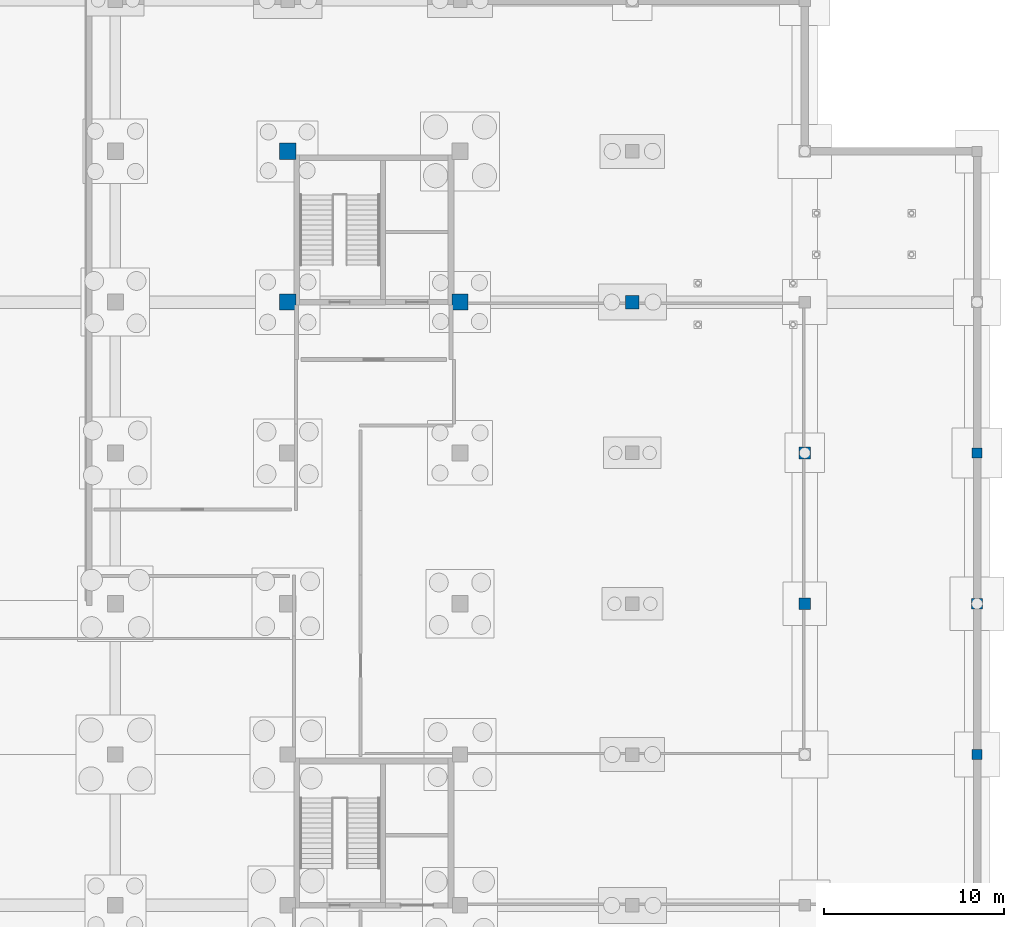
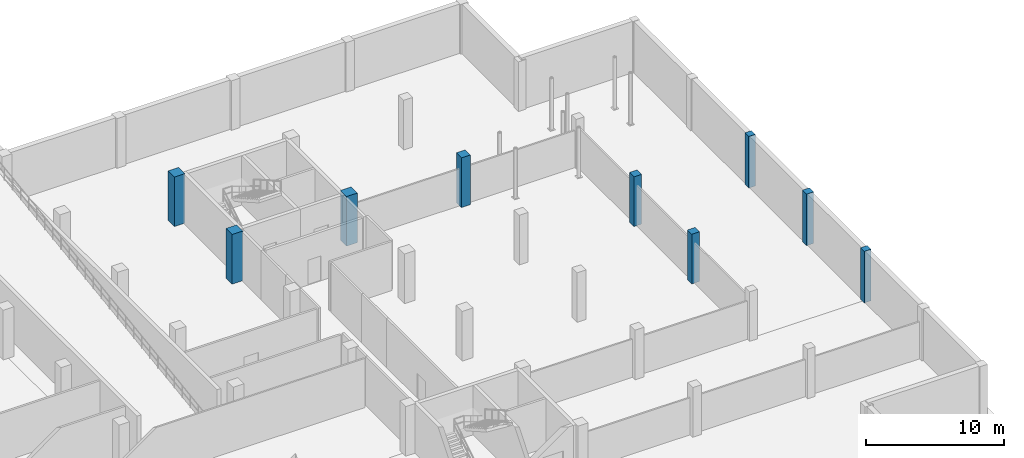
# One storey, part 12 of 26: 9 columns.
"""IFC4 building model written with IfcOpenShell, lengths in metres."""

import ifcopenshell
import ifcopenshell.guid

model = None  # the IFC model being written
_history = None  # IfcOwnerHistory: only IFC2X3 demands one
_inside = {}  # id of a spatial element -> (the spatial element, [elements in it])
_under = {}  # id of a project, library or spatial element -> (it, [spatial elements below it])
_declared = {}  # id of a project -> (the project, [libraries it declares])
_typed = {}  # id of a type object -> (the type object, [elements of that type])
_made_of = {}  # id of a material, layer set ... -> (it, [elements and type objects made of it])


def new_model(schema):
    """Start an empty IFC model of exactly this schema.

    Asked for "IFC4X3", IfcOpenShell would pick the latest addendum, in which some entities
    have other attributes; the version numbers below select the first issue.
    IFC2X3 requires an IfcOwnerHistory on every rooted entity: one is made here for all.
    """
    global model, _history
    if schema == "IFC4X3":
        model = ifcopenshell.file(schema_version=(4, 3, 0, 0))
    else:
        model = ifcopenshell.file(schema=schema)
    _inside.clear()
    _under.clear()
    _declared.clear()
    _typed.clear()
    _made_of.clear()
    _history = None
    if model.schema == "IFC2X3":
        org = make("IfcOrganization", Name="unknown")
        user = make(
            "IfcPersonAndOrganization",
            ThePerson=make("IfcPerson", FamilyName="unknown"),
            TheOrganization=org,
        )
        app = make(
            "IfcApplication",
            ApplicationDeveloper=org,
            Version="unknown",
            ApplicationFullName="unknown",
            ApplicationIdentifier="unknown",
        )
        _history = make(
            "IfcOwnerHistory",
            OwningUser=user,
            OwningApplication=app,
            ChangeAction="ADDED",
            CreationDate=0,
        )
    return model


def make(cls, **values):
    """One entity of the class cls with the attributes given. An attribute that is None is left unset."""
    return model.create_entity(
        cls, **{name: value for name, value in values.items() if value is not None}
    )


def rooted(cls, **values):
    """An entity with a GlobalId (a new one), such as an element, a storey or a relation."""
    return make(cls, GlobalId=ifcopenshell.guid.new(), OwnerHistory=_history, **values)


def si_unit(unit_type, name, prefix=None):
    """IfcSIUnit, for example si_unit("LENGTHUNIT", "METRE", prefix="MILLI")."""
    return make("IfcSIUnit", UnitType=unit_type, Prefix=prefix, Name=name)


def assignment(units):
    """IfcUnitAssignment: the units of a project."""
    return None if units is None else make("IfcUnitAssignment", Units=units)


def point(xyz):
    """IfcCartesianPoint."""
    return None if xyz is None else make("IfcCartesianPoint", Coordinates=xyz)


def direction(xyz):
    """IfcDirection."""
    return None if xyz is None else make("IfcDirection", DirectionRatios=xyz)


def frame(location, z_axis=None, x_axis=None):
    """IfcAxis2Placement3D, a coordinate frame: its origin and axes. An axis left out is left unset."""
    return make(
        "IfcAxis2Placement3D",
        Location=point(location),
        Axis=direction(z_axis),
        RefDirection=direction(x_axis),
    )


def frame_2d(location, x_axis=None):
    """IfcAxis2Placement2D, a coordinate frame in the plane: its origin and x axis."""
    return make(
        "IfcAxis2Placement2D", Location=point(location), RefDirection=direction(x_axis)
    )


def origin():
    """The frame at (0, 0, 0) with its axes left unset."""
    return frame((0.0, 0.0, 0.0))


def origin_2d():
    """The frame at (0, 0) in the plane with its x axis left unset."""
    return frame_2d((0.0, 0.0))


def place(relative_to, where):
    """IfcLocalPlacement: puts the frame where relative to a parent placement (None: the world)."""
    return make(
        "IfcLocalPlacement", PlacementRelTo=relative_to, RelativePlacement=where
    )


def context(
    kind, dimensions, precision=None, world=None, true_north=None, identifier=None
):
    """IfcGeometricRepresentationContext, for example the 3D "Model" context."""
    return make(
        "IfcGeometricRepresentationContext",
        ContextIdentifier=identifier,
        ContextType=kind,
        CoordinateSpaceDimension=dimensions,
        Precision=precision,
        WorldCoordinateSystem=world,
        TrueNorth=true_north,
    )


def subcontext(parent, identifier, kind, view, scale=None):
    """IfcGeometricRepresentationSubContext, for example "Body" below "Model"."""
    return make(
        "IfcGeometricRepresentationSubContext",
        ContextIdentifier=identifier,
        ContextType=kind,
        ParentContext=parent,
        TargetScale=scale,
        TargetView=view,
    )


def project(units=None, contexts=None):
    """IfcProject with its units and contexts."""
    return rooted(
        "IfcProject",
        Name="project",
        RepresentationContexts=contexts,
        UnitsInContext=assignment(units),
    )


def spatial(cls, under=None, at=None, **own):
    """A site, building, storey or space (cls), placed at a placement, below another one or the project."""
    s = rooted(cls, ObjectPlacement=at, **own)
    if under is not None:
        _under.setdefault(under.id(), (under, []))[1].append(s)
    return s


def profile(cls, at=None, kind="AREA", **sizes):
    """A parametric profile (cls). Its sizes go by their IFC names, for example OverallWidth=200.0."""
    return make(cls, ProfileType=kind, Position=at, **sizes)


def rectangle(**sizes):
    """IfcRectangleProfileDef."""
    return profile("IfcRectangleProfileDef", **sizes)


def extrude(swept, where, along, depth):
    """IfcExtrudedAreaSolid: the profile swept, set in the frame where, extruded along a direction by depth."""
    return make(
        "IfcExtrudedAreaSolid",
        SweptArea=swept,
        Position=where,
        ExtrudedDirection=direction(along),
        Depth=depth,
    )


def shape(context_of_items, identifier, shape_type, items):
    """IfcShapeRepresentation: the items that make up one representation, for example the "Body"."""
    return make(
        "IfcShapeRepresentation",
        ContextOfItems=context_of_items,
        RepresentationIdentifier=identifier,
        RepresentationType=shape_type,
        Items=items,
    )


def material(Name=None, Category=None):
    """IfcMaterial."""
    return make("IfcMaterial", Name=Name, Category=Category)


def material_profile(
    of_material, cross_section, Name=None, Category=None, Priority=None
):
    """IfcMaterialProfile: a cross section and its material."""
    return make(
        "IfcMaterialProfile",
        Name=Name,
        Material=of_material,
        Profile=cross_section,
        Priority=Priority,
        Category=Category,
    )


def profile_set(profiles, Name=None, composite=None):
    """IfcMaterialProfileSet."""
    return make(
        "IfcMaterialProfileSet",
        Name=Name,
        MaterialProfiles=profiles,
        CompositeProfile=composite,
    )


def made_of(thing, what):
    """Note that an element or type object is made of a material, layer set ...; save() writes the relation."""
    if what is not None:
        _made_of.setdefault(what.id(), (what, []))[1].append(thing)
    return thing


def type_object(cls, material=None, **own):
    """A type object (cls), such as IfcWallType, which elements share."""
    return made_of(rooted(cls, **own), material)


def element(
    cls,
    number,
    at=None,
    inside=None,
    cuts=None,
    type_object=None,
    material=None,
    context=None,
    identifier="Body",
    shape_type=None,
    held_by="IfcProductDefinitionShape",
    body=None,
    shapes=None,
    **own,
):
    """One element of the class cls, such as IfcWall. Its Tag is "e" and its number.

    at: its placement. inside: the storey or other place that contains it. cuts: it is an
    opening in that element (IfcRelVoidsElement). A single representation is given by context,
    identifier, shape_type and body (its items); several are given by shapes. held_by: the class
    of the entity that holds the representations. save() writes the other relations.
    """
    e = rooted(cls, Tag="e%d" % number, ObjectPlacement=at, **own)
    if body is not None:
        shapes = [shape(context, identifier, shape_type, body)]
    if shapes is not None:
        e.Representation = make(held_by, Representations=shapes)
    if inside is not None:
        _inside.setdefault(inside.id(), (inside, []))[1].append(e)
    if cuts is not None:
        rooted(
            "IfcRelVoidsElement", RelatingBuildingElement=cuts, RelatedOpeningElement=e
        )
    if type_object is not None:
        _typed.setdefault(type_object.id(), (type_object, []))[1].append(e)
    return made_of(e, material)


def aggregate(whole, parts):
    """IfcRelAggregates: a whole, such as a stair, and the parts it consists of."""
    return rooted("IfcRelAggregates", RelatingObject=whole, RelatedObjects=parts)


def save(model, path):
    """Write the relations noted so far, then the file.

    IfcRelAggregates (storeys below a building ...), IfcRelContainedInSpatialStructure (elements
    in a storey), IfcRelDefinesByType, IfcRelAssociatesMaterial and IfcRelDeclares: one each for
    every whole, place, type object, material and project.
    """
    for whole, parts in _under.values():
        aggregate(whole, parts)
    for where, things in _inside.values():
        rooted(
            "IfcRelContainedInSpatialStructure",
            RelatedElements=things,
            RelatingStructure=where,
        )
    for kind, things in _typed.values():
        rooted("IfcRelDefinesByType", RelatedObjects=things, RelatingType=kind)
    for what, things in _made_of.values():
        rooted("IfcRelAssociatesMaterial", RelatedObjects=things, RelatingMaterial=what)
    for by, libraries in _declared.values():
        rooted("IfcRelDeclares", RelatingContext=by, RelatedDefinitions=libraries)
    model.write(path)


model = new_model("IFC4")

# Units and contexts
model_context = context("Model", 3, precision=1e-05, world=origin(), true_north=direction((0.0, 1.0)))
body_context = subcontext(model_context, "Body", "Model", "MODEL_VIEW")
ifc_project = project(units=[si_unit("LENGTHUNIT", "METRE"), si_unit("AREAUNIT", "SQUARE_METRE"), si_unit("VOLUMEUNIT", "CUBIC_METRE"), si_unit("PLANEANGLEUNIT", "RADIAN"), si_unit("MASSUNIT", "GRAM", prefix="KILO")], contexts=[model_context])

# Site, building, storey
site_placement = place(None, origin())
site = spatial("IfcSite", under=ifc_project, at=site_placement, CompositionType="ELEMENT")
building_placement = place(site_placement, origin())
building = spatial("IfcBuilding", under=site, at=building_placement, Name="Lornevale Opera House", CompositionType="ELEMENT")
storey_placement = place(building_placement, frame((0.0, 0.0, -9.60009765625)))
storey = spatial("IfcBuildingStorey", under=building, at=storey_placement, Name="B2", CompositionType="ELEMENT", Elevation=-9.60009765625)

# Columns
ifc_material_1 = material(Name="Concrete 35 MPa (CSA A23.1 N)", Category="concrete")
ifc_material_profile_1 = material_profile(ifc_material_1, rectangle(XDim=0.550048828125, YDim=0.550048828125, at=origin_2d()), Name="RC550x550")
ifc_profile_set_1 = profile_set([ifc_material_profile_1], Name="Concrete 35 MPa (CSA A23.1 N)")
column_type_1 = type_object("IfcColumnType", Name="Concrete Column 550x550", PredefinedType="COLUMN", material=ifc_profile_set_1)
for number, where, z_axis, x_axis, name in (
    (1, (172.800048828125, 42.0, 0.0), (0.0, 0.0, 1.0), (1.0, 0.0, 0.0), "Concrete Column 550x550 1099"),
    (2, (172.800048828125, 58.800048828125, 0.0), (0.0, 0.0, 1.0), (1.0, 0.0, 0.0), "Concrete Column 550x550 1101"),
):
    element("IfcColumn", number, at=place(storey_placement, frame(where, z_axis=z_axis, x_axis=x_axis)), inside=storey, type_object=column_type_1, Name=name, PredefinedType="COLUMN", context=body_context, shape_type="SweptSolid", body=[
        extrude(rectangle(XDim=0.550048828125, YDim=0.550048828125, at=origin_2d()), origin(), (0.0, 0.0, 1.0), 4.570068359375),
    ])
ifc_material_profile_2 = material_profile(ifc_material_1, rectangle(XDim=0.60009765625, YDim=0.60009765625, at=origin_2d()), Name="RC600x600")
ifc_profile_set_2 = profile_set([ifc_material_profile_2], Name="Concrete 35 MPa (CSA A23.1 N)")
column_type_2 = type_object("IfcColumnType", Name="Concrete Column 600x600", PredefinedType="COLUMN", material=ifc_profile_set_2)
column_1_placement = place(storey_placement, frame((172.800048828125, 50.39990234375, 0.0), z_axis=(0.0, 0.0, 1.0), x_axis=(1.0, 0.0, 0.0)))
element("IfcColumn", 3, at=column_1_placement, inside=storey, type_object=column_type_2, Name="Concrete Column 600x600 1100", PredefinedType="COLUMN", context=body_context, shape_type="SweptSolid", body=[
    extrude(rectangle(XDim=0.60009765625, YDim=0.60009765625, at=origin_2d()), origin(), (0.0, 0.0, 1.0), 4.570068359375),
])
ifc_material_2 = material(Name="Concrete 40 MPa (CSA A23.1 C-1)", Category="concrete")
ifc_material_profile_3 = material_profile(ifc_material_2, rectangle(XDim=0.64990234375, YDim=0.64990234375, at=origin_2d()), Name="RC650x650")
ifc_profile_set_3 = profile_set([ifc_material_profile_3], Name="Concrete 40 MPa (CSA A23.1 C-1)")
column_type_3 = type_object("IfcColumnType", Name="Concrete Column 650x650", PredefinedType="COLUMN", material=ifc_profile_set_3)
for number, where, z_axis, x_axis, name in (
    (4, (163.199951171875, 50.39990234375, 0.0), (0.0, 0.0, 1.0), (1.0, 0.0, 0.0), "Concrete Column 650x650 1085"),
    (5, (163.199951171875, 58.800048828125, 0.0), (0.0, 0.0, 1.0), (1.0, 0.0, 0.0), "Concrete Column 650x650 1087"),
):
    element("IfcColumn", number, at=place(storey_placement, frame(where, z_axis=z_axis, x_axis=x_axis)), inside=storey, type_object=column_type_3, Name=name, PredefinedType="COLUMN", context=body_context, shape_type="SweptSolid", body=[
        extrude(rectangle(XDim=0.64990234375, YDim=0.64990234375, at=origin_2d()), origin(), (0.0, 0.0, 1.0), 4.400146484375),
    ])
ifc_material_profile_4 = material_profile(ifc_material_2, rectangle(XDim=0.75, YDim=0.75, at=origin_2d()), Name="RC750x750")
ifc_profile_set_4 = profile_set([ifc_material_profile_4], Name="Concrete 40 MPa (CSA A23.1 C-1)")
column_type_4 = type_object("IfcColumnType", Name="Concrete Column 750x750", PredefinedType="COLUMN", material=ifc_profile_set_4)
column_2_placement = place(storey_placement, frame((153.60009765625, 67.199951171875, 0.0), z_axis=(0.0, 0.0, 1.0), x_axis=(1.0, 0.0, 0.0)))
element("IfcColumn", 6, at=column_2_placement, inside=storey, type_object=column_type_4, Name="Concrete Column 750x750 1064", PredefinedType="COLUMN", context=body_context, shape_type="SweptSolid", body=[
    extrude(rectangle(XDim=0.75, YDim=0.75, at=origin_2d()), origin(), (0.0, 0.0, 1.0), 4.400146484375),
])
ifc_material_profile_5 = material_profile(ifc_material_2, rectangle(XDim=0.89990234375, YDim=0.89990234375, at=origin_2d()), Name="RC900x900")
ifc_profile_set_5 = profile_set([ifc_material_profile_5], Name="Concrete 40 MPa (CSA A23.1 C-1)")
column_type_5 = type_object("IfcColumnType", Name="Concrete Column 900x900", PredefinedType="COLUMN", material=ifc_profile_set_5)
for number, where, z_axis, x_axis, name in (
    (7, (134.39990234375, 67.199951171875, 0.0), (0.0, 0.0, 1.0), (1.0, 0.0, 0.0), "Concrete Column 900x900 0954"),
    (8, (134.39990234375, 75.60009765625, 0.0), (0.0, 0.0, 1.0), (1.0, 0.0, 0.0), "Concrete Column 900x900 0962"),
    (9, (144.0, 67.199951171875, 0.0), (0.0, 0.0, 1.0), (1.0, 0.0, 0.0), "Concrete Column 900x900 1017"),
):
    element("IfcColumn", number, at=place(storey_placement, frame(where, z_axis=z_axis, x_axis=x_axis)), inside=storey, type_object=column_type_5, Name=name, PredefinedType="COLUMN", context=body_context, shape_type="SweptSolid", body=[
        extrude(rectangle(XDim=0.89990234375, YDim=0.89990234375, at=origin_2d()), origin(), (0.0, 0.0, 1.0), 4.400146484375),
    ])

save(model, "model.ifc")
